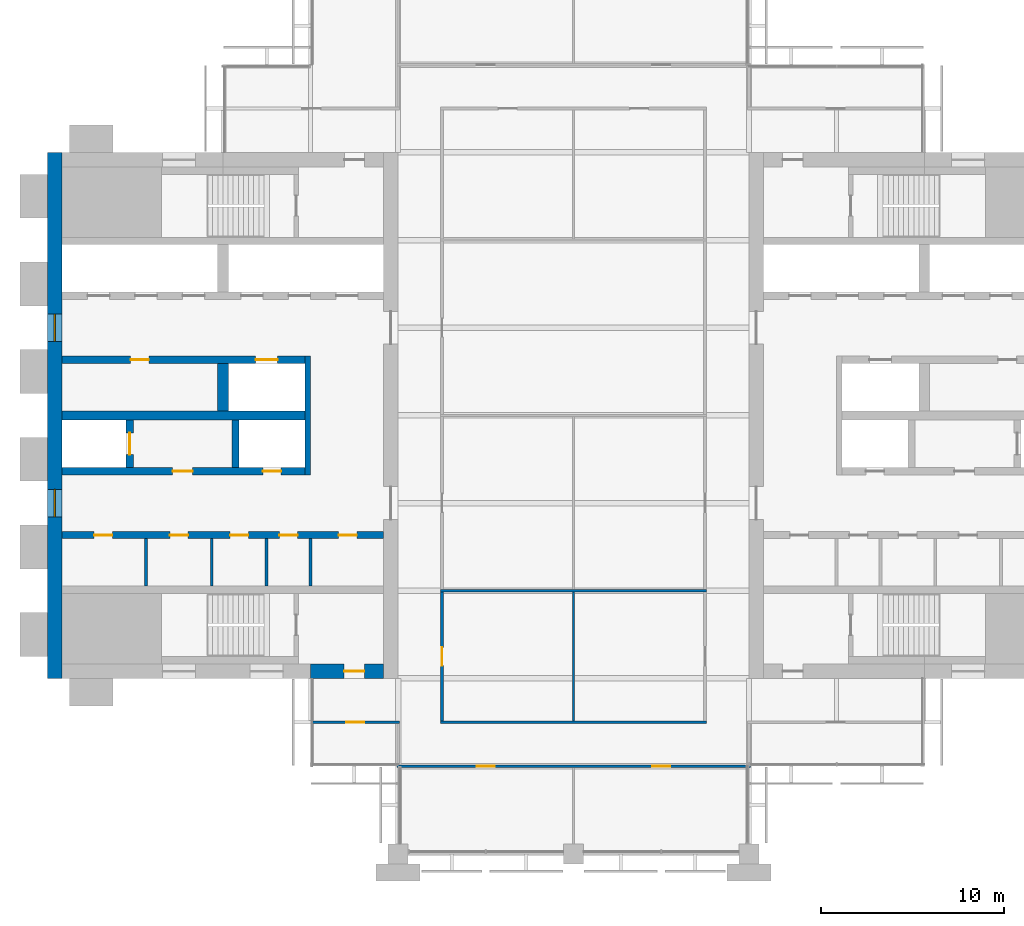
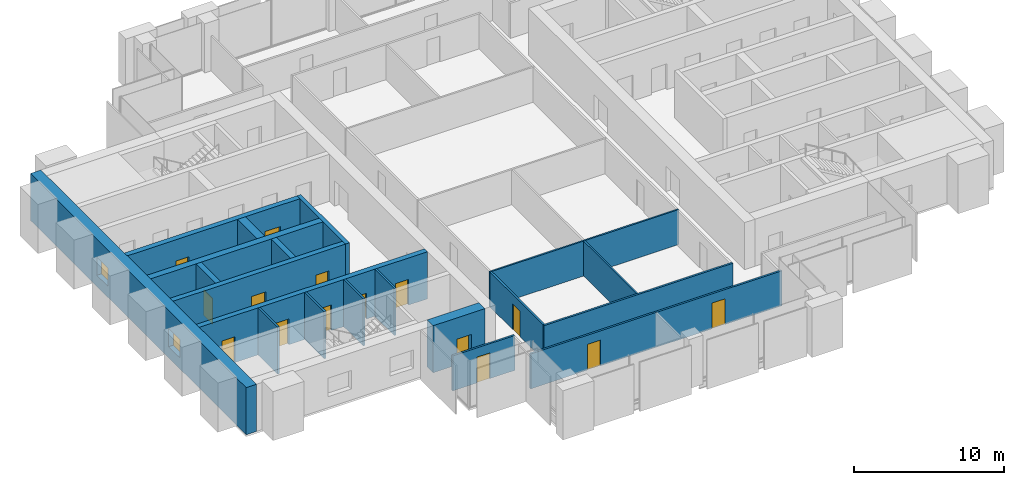
# One storey, part 8 of 13: 20 walls, 15 doors, 2 windows, 17 openings.
"""IFC4 building model written with IfcOpenShell, lengths in metres."""

from ifc_helpers import new_model, si_unit, direction, frame, frame_2d, origin, place, context, subcontext, project, spatial, rectangle, extrude, material, layer, layer_set, type_object, element, fill, save


model = new_model("IFC4")

# Units and contexts
model_context = context("Model", 3, precision=1e-05, world=origin(), true_north=direction((0.0, 1.0)))
body_context = subcontext(model_context, "Body", "Model", "MODEL_VIEW")
ifc_project = project(units=[si_unit("LENGTHUNIT", "METRE"), si_unit("AREAUNIT", "SQUARE_METRE"), si_unit("VOLUMEUNIT", "CUBIC_METRE"), si_unit("PLANEANGLEUNIT", "RADIAN"), si_unit("MASSUNIT", "GRAM", prefix="KILO")], contexts=[model_context])

# Site, building, storey
site_placement = place(None, origin())
site = spatial("IfcSite", under=ifc_project, at=site_placement, CompositionType="ELEMENT")
building_placement = place(site_placement, origin())
building = spatial("IfcBuilding", under=site, at=building_placement, Name="Baori Bourse Tower", CompositionType="ELEMENT")
storey_placement = place(building_placement, frame((0.0, 0.0, 217.199951171875)))
storey = spatial("IfcBuildingStorey", under=building, at=storey_placement, Name="L47", CompositionType="ELEMENT", Elevation=217.199951171875)

# Walls
ifc_material_1 = material(Name="Blockwork partition", Category="masonry")
ifc_layer_1 = layer(ifc_material_1, 0.14990234375)
ifc_layer_set_1 = layer_set([ifc_layer_1], Name="Core partition 150")
wall_type_1 = type_object("IfcWallType", Name="Core partition 150", PredefinedType="PARTITIONING", material=ifc_layer_set_1)
for number, where, z_axis, x_axis, name in (
    (1, (5.39990234375, 14.64990234375, 0.0), (0.0, 0.0, 1.0), (0.0, 1.0, 0.0), "Partition wall W09"),
    (2, (9.0, 14.64990234375, 0.0), (0.0, 0.0, 1.0), (0.0, 1.0, 0.0), "Partition wall W10"),
    (3, (12.0, 14.64990234375, 0.0), (0.0, 0.0, 1.0), (0.0, 1.0, 0.0), "Partition wall W11"),
    (4, (14.39990234375, 14.64990234375, 0.0), (0.0, 0.0, 1.0), (0.0, 1.0, 0.0), "Partition wall W12"),
):
    element("IfcWall", number, at=place(storey_placement, frame(where, z_axis=z_axis, x_axis=x_axis)), inside=storey, type_object=wall_type_1, Name=name, PredefinedType="PARTITIONING", context=body_context, shape_type="SweptSolid", body=[
        extrude(rectangle(XDim=2.60009765625, YDim=0.14990234375, at=frame_2d((1.300048828125, 0.0))), origin(), (0.0, 0.0, 1.0), 3.840087890625),
    ])

# Wall, openings, windows
ifc_material_2 = material(Name="Concrete f'c 50 MPa", Category="concrete")
ifc_layer_2 = layer(ifc_material_2, 0.800048828125)
ifc_layer_set_2 = layer_set([ifc_layer_2], Name="Core wall 800 f'c 50")
wall_type_2 = type_object("IfcWallType", Name="Core wall 800 f'c 50", PredefinedType="SHEAR", material=ifc_layer_set_2)
wall_1_placement = place(storey_placement, frame((0.39990234375, 9.60009765625, 0.0), z_axis=(0.0, 0.0, 1.0), x_axis=(0.0, 1.0, 0.0)))
wall_1 = element("IfcWall", 5, at=wall_1_placement, inside=storey, type_object=wall_type_2, Name="Core wall W01", PredefinedType="SHEAR", context=body_context, shape_type="SweptSolid", body=[
    extrude(rectangle(XDim=28.7998046875, YDim=0.800048828125, at=frame_2d((14.39990234375, 0.0))), origin(), (0.0, 0.0, 1.0), 3.840087890625),
])
opening_1_placement = place(wall_1_placement, frame((8.85009765625, 0.0, 0.89990234375)))
opening_1 = element("IfcOpeningElement", 6, at=opening_1_placement, cuts=wall_1, Name="Opening L47-KW101", PredefinedType="OPENING", context=body_context, shape_type="SweptSolid", body=[
    extrude(rectangle(XDim=1.5, YDim=1.5, at=frame_2d((0.75, 0.75))), frame((0.0, 0.409912109375, 0.0), z_axis=(0.0, -1.0, 0.0), x_axis=(1.0, 0.0, 0.0)), (0.0, 0.0, 1.0), 0.820068359375),
])
opening_2_placement = place(wall_1_placement, frame((18.449951171875, 0.0, 0.89990234375)))
opening_2 = element("IfcOpeningElement", 7, at=opening_2_placement, cuts=wall_1, Name="Opening L47-KW102", PredefinedType="OPENING", context=body_context, shape_type="SweptSolid", body=[
    extrude(rectangle(XDim=1.5, YDim=1.5, at=frame_2d((0.75, 0.75))), frame((0.0, 0.409912109375, 0.0), z_axis=(0.0, -1.0, 0.0), x_axis=(1.0, 0.0, 0.0)), (0.0, 0.0, 1.0), 0.820068359375),
])
ifc_material_3 = material(Name="Pale anodised aluminium", Category="aluminium")
window_type = type_object("IfcWindowType", Name="Lobby window 1500 x 1500", PartitioningType="SINGLE_PANEL", PredefinedType="WINDOW", material=ifc_material_3)
window_1_placement = place(opening_1_placement, origin())
window_1 = element("IfcWindow", 8, at=window_1_placement, inside=storey, type_object=window_type, Name="Outer wall window W L47 1", OverallHeight=1.5, OverallWidth=1.5, PartitioningType="SINGLE_PANEL", PredefinedType="WINDOW", context=body_context, shape_type="SweptSolid", body=[
    extrude(rectangle(XDim=1.5, YDim=1.5, at=frame_2d((0.75, 0.75))), frame((0.0, 0.030029296875, 0.0), z_axis=(0.0, -1.0, 0.0), x_axis=(1.0, 0.0, 0.0)), (0.0, 0.0, 1.0), 0.06005859375),
])
fill(opening_1, window_1)
window_2_placement = place(opening_2_placement, origin())
window_2 = element("IfcWindow", 9, at=window_2_placement, inside=storey, type_object=window_type, Name="Outer wall window W L47 2", OverallHeight=1.5, OverallWidth=1.5, PartitioningType="SINGLE_PANEL", PredefinedType="WINDOW", context=body_context, shape_type="SweptSolid", body=[
    extrude(rectangle(XDim=1.5, YDim=1.5, at=frame_2d((0.75, 0.75))), frame((0.0, 0.030029296875, 0.0), z_axis=(0.0, -1.0, 0.0), x_axis=(1.0, 0.0, 0.0)), (0.0, 0.0, 1.0), 0.06005859375),
])
fill(opening_2, window_2)

# Wall, opening, door
wall_2_placement = place(storey_placement, frame((18.39990234375, 10.0, 0.0), z_axis=(0.0, 0.0, 1.0), x_axis=(-1.0, 0.0, 0.0)))
wall_2 = element("IfcWall", 10, at=wall_2_placement, inside=storey, type_object=wall_type_2, Name="Core wall W03", PredefinedType="SHEAR", context=body_context, shape_type="SweptSolid", body=[
    extrude(rectangle(XDim=4.0, YDim=0.800048828125, at=frame_2d((2.0, 0.0))), origin(), (0.0, 0.0, 1.0), 3.840087890625),
])
opening_3_placement = place(wall_2_placement, frame((1.050048828125, 0.0, 0.0)))
opening_3 = element("IfcOpeningElement", 11, at=opening_3_placement, cuts=wall_2, Name="Opening L47-D102", PredefinedType="OPENING", context=body_context, shape_type="SweptSolid", body=[
    extrude(rectangle(XDim=1.10009765625, YDim=2.10009765625, at=frame_2d((0.550048828125, 1.050048828125))), frame((0.0, 0.409912109375, 0.0), z_axis=(0.0, -1.0, 0.0), x_axis=(1.0, 0.0, 0.0)), (0.0, 0.0, 1.0), 0.820068359375),
])
ifc_material_4 = material(Name="Painted steel door", Category="steel")
door_type_1 = type_object("IfcDoorType", Name="Stair door 1100", OperationType="SINGLE_SWING_LEFT", PredefinedType="DOOR", material=ifc_material_4)
door_1_placement = place(opening_3_placement, origin())
door_1 = element("IfcDoor", 12, at=door_1_placement, inside=storey, type_object=door_type_1, Name="Stair vestibule door A W L47", OperationType="SINGLE_SWING_LEFT", OverallHeight=2.10009765625, OverallWidth=1.10009765625, PredefinedType="DOOR", context=body_context, shape_type="SweptSolid", body=[
    extrude(rectangle(XDim=1.10009765625, YDim=2.10009765625, at=frame_2d((0.550048828125, 1.050048828125))), frame((0.0, 0.02490234375, 0.0), z_axis=(0.0, -1.0, 0.0), x_axis=(1.0, 0.0, 0.0)), (0.0, 0.0, 1.0), 0.050048828125),
])
fill(opening_3, door_1)

# Wall, openings, doors
ifc_material_5 = material(Name="Gypsum board partition")
ifc_layer_3 = layer(ifc_material_5, 0.14990234375)
ifc_layer_set_3 = layer_set([ifc_layer_3], Name="Corridor partition 150")
wall_type_3 = type_object("IfcWallType", Name="Corridor partition 150", PredefinedType="PARTITIONING", material=ifc_layer_set_3)
wall_3_placement = place(storey_placement, frame((19.125, 4.800048828125, 0.0), z_axis=(0.0, 0.0, 1.0), x_axis=(1.0, 0.0, 0.0)))
wall_3 = element("IfcWall", 13, at=wall_3_placement, inside=storey, type_object=wall_type_3, Name="Partition", PredefinedType="PARTITIONING", context=body_context, shape_type="SweptSolid", body=[
    extrude(rectangle(XDim=19.35009765625, YDim=0.14990234375, at=frame_2d((9.675048828125, 0.0))), origin(), (0.0, 0.0, 1.0), 2.849365234375),
])
opening_4_placement = place(wall_3_placement, frame((4.375, 0.0, 0.0)))
opening_4 = element("IfcOpeningElement", 14, at=opening_4_placement, cuts=wall_3, Name="Opening L47-D01", PredefinedType="OPENING", context=body_context, shape_type="SweptSolid", body=[
    extrude(rectangle(XDim=1.0, YDim=2.10009765625, at=frame_2d((0.5, 1.050048828125))), frame((0.0, 0.0849609375, 0.0), z_axis=(0.0, -1.0, 0.0), x_axis=(1.0, 0.0, 0.0)), (0.0, 0.0, 1.0), 0.169921875),
])
opening_5_placement = place(wall_3_placement, frame((13.97509765625, 0.0, 0.0)))
opening_5 = element("IfcOpeningElement", 15, at=opening_5_placement, cuts=wall_3, Name="Opening L47-D02", PredefinedType="OPENING", context=body_context, shape_type="SweptSolid", body=[
    extrude(rectangle(XDim=1.0, YDim=2.10009765625, at=frame_2d((0.5, 1.050048828125))), frame((0.0, 0.0849609375, 0.0), z_axis=(0.0, -1.0, 0.0), x_axis=(1.0, 0.0, 0.0)), (0.0, 0.0, 1.0), 0.169921875),
])
ifc_material_6 = material(Name="Timber door leaf", Category="wood")
door_type_2 = type_object("IfcDoorType", Name="Door 1000 x 2100", OperationType="SINGLE_SWING_LEFT", PredefinedType="DOOR", material=ifc_material_6)
door_2_placement = place(opening_4_placement, origin())
door_2 = element("IfcDoor", 16, at=door_2_placement, inside=storey, type_object=door_type_2, Name="Door", OperationType="SINGLE_SWING_LEFT", OverallHeight=2.10009765625, OverallWidth=1.0, PredefinedType="DOOR", context=body_context, shape_type="SweptSolid", body=[
    extrude(rectangle(XDim=1.0, YDim=2.10009765625, at=frame_2d((0.5, 1.050048828125))), frame((0.0, 0.02490234375, 0.0), z_axis=(0.0, -1.0, 0.0), x_axis=(1.0, 0.0, 0.0)), (0.0, 0.0, 1.0), 0.050048828125),
])
fill(opening_4, door_2)
door_3_placement = place(opening_5_placement, origin())
door_3 = element("IfcDoor", 17, at=door_3_placement, inside=storey, type_object=door_type_2, Name="Door", OperationType="SINGLE_SWING_RIGHT", OverallHeight=2.10009765625, OverallWidth=1.0, PredefinedType="DOOR", context=body_context, shape_type="SweptSolid", body=[
    extrude(rectangle(XDim=1.0, YDim=2.10009765625, at=frame_2d((0.5, 1.050048828125))), frame((0.0, 0.02490234375, 0.0), z_axis=(0.0, -1.0, 0.0), x_axis=(1.0, 0.0, 0.0)), (0.0, 0.0, 1.0), 0.050048828125),
])
fill(opening_5, door_3)

# Wall, opening, door
wall_4_placement = place(storey_placement, frame((14.5, 7.199951171875, 0.0), z_axis=(0.0, 0.0, 1.0), x_axis=(1.0, 0.0, 0.0)))
wall_4 = element("IfcWall", 18, at=wall_4_placement, inside=storey, type_object=wall_type_3, Name="Partition", PredefinedType="PARTITIONING", context=body_context, shape_type="SweptSolid", body=[
    extrude(rectangle(XDim=4.77490234375, YDim=0.14990234375, at=frame_2d((2.387451171875, 0.0))), origin(), (0.0, 0.0, 1.0), 2.849365234375),
])
opening_6_placement = place(wall_4_placement, frame((1.85009765625, 0.0, 0.0)))
opening_6 = element("IfcOpeningElement", 19, at=opening_6_placement, cuts=wall_4, Name="Opening L47-D03", PredefinedType="OPENING", context=body_context, shape_type="SweptSolid", body=[
    extrude(rectangle(XDim=1.0, YDim=2.10009765625, at=frame_2d((0.5, 1.050048828125))), frame((0.0, 0.0849609375, 0.0), z_axis=(0.0, -1.0, 0.0), x_axis=(1.0, 0.0, 0.0)), (0.0, 0.0, 1.0), 0.169921875),
])
door_4_placement = place(opening_6_placement, origin())
door_4 = element("IfcDoor", 20, at=door_4_placement, inside=storey, type_object=door_type_2, Name="Door", OperationType="SINGLE_SWING_LEFT", OverallHeight=2.10009765625, OverallWidth=1.0, PredefinedType="DOOR", context=body_context, shape_type="SweptSolid", body=[
    extrude(rectangle(XDim=1.0, YDim=2.10009765625, at=frame_2d((0.5, 1.050048828125))), frame((0.0, 0.02490234375, 0.0), z_axis=(0.0, -1.0, 0.0), x_axis=(1.0, 0.0, 0.0)), (0.0, 0.0, 1.0), 0.050048828125),
])
fill(opening_6, door_4)

# Wall
wall_5_placement = place(storey_placement, frame((21.52490234375, 7.199951171875, 0.0), z_axis=(0.0, 0.0, 1.0), x_axis=(1.0, 0.0, 0.0)))
element("IfcWall", 21, at=wall_5_placement, inside=storey, type_object=wall_type_3, Name="Partition", PredefinedType="PARTITIONING", context=body_context, shape_type="SweptSolid", body=[
    extrude(rectangle(XDim=14.550048828125, YDim=0.14990234375, at=frame_2d((7.27490234375, 0.0))), origin(), (0.0, 0.0, 1.0), 2.849365234375),
])

# Wall, opening, door
wall_6_placement = place(storey_placement, frame((21.60009765625, 7.27490234375, 0.0), z_axis=(0.0, 0.0, 1.0), x_axis=(0.0, 1.0, 0.0)))
wall_6 = element("IfcWall", 22, at=wall_6_placement, inside=storey, type_object=wall_type_3, Name="Partition", PredefinedType="PARTITIONING", context=body_context, shape_type="SweptSolid", body=[
    extrude(rectangle(XDim=7.0625, YDim=0.14990234375, at=frame_2d((3.53125, 0.0))), origin(), (0.0, 0.0, 1.0), 2.849365234375),
])
opening_7_placement = place(wall_6_placement, frame((3.03125, 0.0, 0.0)))
opening_7 = element("IfcOpeningElement", 23, at=opening_7_placement, cuts=wall_6, Name="Opening L47-D11", PredefinedType="OPENING", context=body_context, shape_type="SweptSolid", body=[
    extrude(rectangle(XDim=1.0, YDim=2.10009765625, at=frame_2d((0.5, 1.050048828125))), frame((0.0, 0.0849609375, 0.0), z_axis=(0.0, -1.0, 0.0), x_axis=(1.0, 0.0, 0.0)), (0.0, 0.0, 1.0), 0.169921875),
])
door_5_placement = place(opening_7_placement, origin())
door_5 = element("IfcDoor", 24, at=door_5_placement, inside=storey, type_object=door_type_2, Name="Door", OperationType="SINGLE_SWING_LEFT", OverallHeight=2.10009765625, OverallWidth=1.0, PredefinedType="DOOR", context=body_context, shape_type="SweptSolid", body=[
    extrude(rectangle(XDim=1.0, YDim=2.10009765625, at=frame_2d((0.5, 1.050048828125))), frame((0.0, 0.02490234375, 0.0), z_axis=(0.0, -1.0, 0.0), x_axis=(1.0, 0.0, 0.0)), (0.0, 0.0, 1.0), 0.050048828125),
])
fill(opening_7, door_5)

# Walls
ifc_material_7 = material(Name="Gypsum board partition")
ifc_layer_4 = layer(ifc_material_7, 0.125)
ifc_layer_set_4 = layer_set([ifc_layer_4], Name="Partition 125")
wall_type_4 = type_object("IfcWallType", Name="Partition 125", PredefinedType="PARTITIONING", material=ifc_layer_set_4)
wall_7_placement = place(storey_placement, frame((21.52490234375, 14.39990234375, 0.0), z_axis=(0.0, 0.0, 1.0), x_axis=(1.0, 0.0, 0.0)))
element("IfcWall", 25, at=wall_7_placement, inside=storey, type_object=wall_type_4, Name="Partition", PredefinedType="PARTITIONING", context=body_context, shape_type="SweptSolid", body=[
    extrude(rectangle(XDim=14.550048828125, YDim=0.125, at=frame_2d((7.27490234375, 0.0))), origin(), (0.0, 0.0, 1.0), 2.849365234375),
])
wall_8_placement = place(storey_placement, frame((28.800048828125, 7.27490234375, 0.0), z_axis=(0.0, 0.0, 1.0), x_axis=(0.0, 1.0, 0.0)))
element("IfcWall", 26, at=wall_8_placement, inside=storey, type_object=wall_type_4, Name="Partition", PredefinedType="PARTITIONING", context=body_context, shape_type="SweptSolid", body=[
    extrude(rectangle(XDim=7.0625, YDim=0.125, at=frame_2d((3.53125, 0.0))), origin(), (0.0, 0.0, 1.0), 2.849365234375),
])
ifc_material_8 = material(Name="Concrete f'c 50 MPa", Category="concrete")
ifc_layer_5 = layer(ifc_material_8, 0.300048828125)
ifc_layer_set_5 = layer_set([ifc_layer_5], Name="Shaft wall 300 f'c 50")
wall_type_5 = type_object("IfcWallType", Name="Shaft wall 300 f'c 50", PredefinedType="SHEAR", material=ifc_layer_set_5)
wall_9_placement = place(storey_placement, frame((14.25, 20.75, 0.0), z_axis=(0.0, 0.0, 1.0), x_axis=(0.0, 1.0, 0.0)))
element("IfcWall", 27, at=wall_9_placement, inside=storey, type_object=wall_type_5, Name="Core wall W15", PredefinedType="SHEAR", context=body_context, shape_type="SweptSolid", body=[
    extrude(rectangle(XDim=6.5, YDim=0.300048828125, at=frame_2d((3.25, 0.0))), origin(), (0.0, 0.0, 1.0), 3.840087890625),
])

# Wall, openings, doors
ifc_material_9 = material(Name="Concrete f'c 50 MPa", Category="concrete")
ifc_layer_6 = layer(ifc_material_9, 0.39990234375)
ifc_layer_set_6 = layer_set([ifc_layer_6], Name="Shaft wall 400 f'c 50")
wall_type_6 = type_object("IfcWallType", Name="Shaft wall 400 f'c 50", PredefinedType="SHEAR", material=ifc_layer_set_6)
wall_10_placement = place(storey_placement, frame((0.800048828125, 17.449951171875, 0.0), z_axis=(0.0, 0.0, 1.0), x_axis=(1.0, 0.0, 0.0)))
wall_10 = element("IfcWall", 28, at=wall_10_placement, inside=storey, type_object=wall_type_6, Name="Core wall W13", PredefinedType="SHEAR", context=body_context, shape_type="SweptSolid", body=[
    extrude(rectangle(XDim=17.599853515625, YDim=0.39990234375, at=frame_2d((8.7998046875, 0.0))), origin(), (0.0, 0.0, 1.0), 3.840087890625),
])
opening_8_placement = place(wall_10_placement, frame((1.762451171875, 0.0, 0.0)))
opening_8 = element("IfcOpeningElement", 29, at=opening_8_placement, cuts=wall_10, Name="Opening L47-D109", PredefinedType="OPENING", context=body_context, shape_type="SweptSolid", body=[
    extrude(rectangle(XDim=1.0, YDim=2.10009765625, at=frame_2d((0.5, 1.050048828125))), frame((0.0, 0.2099609375, 0.0), z_axis=(0.0, -1.0, 0.0), x_axis=(1.0, 0.0, 0.0)), (0.0, 0.0, 1.0), 0.419921875),
])
opening_9_placement = place(wall_10_placement, frame((5.89990234375, 0.0, 0.0)))
opening_9 = element("IfcOpeningElement", 30, at=opening_9_placement, cuts=wall_10, Name="Opening L47-D110", PredefinedType="OPENING", context=body_context, shape_type="SweptSolid", body=[
    extrude(rectangle(XDim=1.0, YDim=2.10009765625, at=frame_2d((0.5, 1.050048828125))), frame((0.0, 0.2099609375, 0.0), z_axis=(0.0, -1.0, 0.0), x_axis=(1.0, 0.0, 0.0)), (0.0, 0.0, 1.0), 0.419921875),
])
opening_10_placement = place(wall_10_placement, frame((9.199951171875, 0.0, 0.0)))
opening_10 = element("IfcOpeningElement", 31, at=opening_10_placement, cuts=wall_10, Name="Opening L47-D111", PredefinedType="OPENING", context=body_context, shape_type="SweptSolid", body=[
    extrude(rectangle(XDim=1.0, YDim=2.10009765625, at=frame_2d((0.5, 1.050048828125))), frame((0.0, 0.2099609375, 0.0), z_axis=(0.0, -1.0, 0.0), x_axis=(1.0, 0.0, 0.0)), (0.0, 0.0, 1.0), 0.419921875),
])
opening_11_placement = place(wall_10_placement, frame((11.89990234375, 0.0, 0.0)))
opening_11 = element("IfcOpeningElement", 32, at=opening_11_placement, cuts=wall_10, Name="Opening L47-D112", PredefinedType="OPENING", context=body_context, shape_type="SweptSolid", body=[
    extrude(rectangle(XDim=1.0, YDim=2.10009765625, at=frame_2d((0.5, 1.050048828125))), frame((0.0, 0.2099609375, 0.0), z_axis=(0.0, -1.0, 0.0), x_axis=(1.0, 0.0, 0.0)), (0.0, 0.0, 1.0), 0.419921875),
])
opening_12_placement = place(wall_10_placement, frame((15.137451171875, 0.0, 0.0)))
opening_12 = element("IfcOpeningElement", 33, at=opening_12_placement, cuts=wall_10, Name="Opening L47-D113", PredefinedType="OPENING", context=body_context, shape_type="SweptSolid", body=[
    extrude(rectangle(XDim=1.0, YDim=2.10009765625, at=frame_2d((0.5, 1.050048828125))), frame((0.0, 0.2099609375, 0.0), z_axis=(0.0, -1.0, 0.0), x_axis=(1.0, 0.0, 0.0)), (0.0, 0.0, 1.0), 0.419921875),
])
ifc_material_10 = material(Name="Painted steel door", Category="steel")
door_type_3 = type_object("IfcDoorType", Name="Core door 1000", OperationType="SINGLE_SWING_LEFT", PredefinedType="DOOR", material=ifc_material_10)
door_6_placement = place(opening_8_placement, origin())
door_6 = element("IfcDoor", 34, at=door_6_placement, inside=storey, type_object=door_type_3, Name="Men'S Wc door W L47", OperationType="SINGLE_SWING_LEFT", OverallHeight=2.10009765625, OverallWidth=1.0, PredefinedType="DOOR", context=body_context, shape_type="SweptSolid", body=[
    extrude(rectangle(XDim=1.0, YDim=2.10009765625, at=frame_2d((0.5, 1.050048828125))), frame((0.0, 0.02490234375, 0.0), z_axis=(0.0, -1.0, 0.0), x_axis=(1.0, 0.0, 0.0)), (0.0, 0.0, 1.0), 0.050048828125),
])
fill(opening_8, door_6)
door_7_placement = place(opening_9_placement, origin())
door_7 = element("IfcDoor", 35, at=door_7_placement, inside=storey, type_object=door_type_3, Name="Women'S Wc door W L47", OperationType="SINGLE_SWING_LEFT", OverallHeight=2.10009765625, OverallWidth=1.0, PredefinedType="DOOR", context=body_context, shape_type="SweptSolid", body=[
    extrude(rectangle(XDim=1.0, YDim=2.10009765625, at=frame_2d((0.5, 1.050048828125))), frame((0.0, 0.02490234375, 0.0), z_axis=(0.0, -1.0, 0.0), x_axis=(1.0, 0.0, 0.0)), (0.0, 0.0, 1.0), 0.050048828125),
])
fill(opening_9, door_7)
door_8_placement = place(opening_10_placement, origin())
door_8 = element("IfcDoor", 36, at=door_8_placement, inside=storey, type_object=door_type_3, Name="Pantry door W L47", OperationType="SINGLE_SWING_LEFT", OverallHeight=2.10009765625, OverallWidth=1.0, PredefinedType="DOOR", context=body_context, shape_type="SweptSolid", body=[
    extrude(rectangle(XDim=1.0, YDim=2.10009765625, at=frame_2d((0.5, 1.050048828125))), frame((0.0, 0.02490234375, 0.0), z_axis=(0.0, -1.0, 0.0), x_axis=(1.0, 0.0, 0.0)), (0.0, 0.0, 1.0), 0.050048828125),
])
fill(opening_10, door_8)
door_9_placement = place(opening_11_placement, origin())
door_9 = element("IfcDoor", 37, at=door_9_placement, inside=storey, type_object=door_type_3, Name="Store Room door W L47", OperationType="SINGLE_SWING_LEFT", OverallHeight=2.10009765625, OverallWidth=1.0, PredefinedType="DOOR", context=body_context, shape_type="SweptSolid", body=[
    extrude(rectangle(XDim=1.0, YDim=2.10009765625, at=frame_2d((0.5, 1.050048828125))), frame((0.0, 0.02490234375, 0.0), z_axis=(0.0, -1.0, 0.0), x_axis=(1.0, 0.0, 0.0)), (0.0, 0.0, 1.0), 0.050048828125),
])
fill(opening_11, door_9)
door_10_placement = place(opening_12_placement, origin())
door_10 = element("IfcDoor", 38, at=door_10_placement, inside=storey, type_object=door_type_3, Name="Accessible Wc door W L47", OperationType="SINGLE_SWING_LEFT", OverallHeight=2.10009765625, OverallWidth=1.0, PredefinedType="DOOR", context=body_context, shape_type="SweptSolid", body=[
    extrude(rectangle(XDim=1.0, YDim=2.10009765625, at=frame_2d((0.5, 1.050048828125))), frame((0.0, 0.02490234375, 0.0), z_axis=(0.0, -1.0, 0.0), x_axis=(1.0, 0.0, 0.0)), (0.0, 0.0, 1.0), 0.050048828125),
])
fill(opening_12, door_10)

wall_11_placement = place(storey_placement, frame((0.800048828125, 20.949951171875, 0.0), z_axis=(0.0, 0.0, 1.0), x_axis=(1.0, 0.0, 0.0)))
wall_11 = element("IfcWall", 39, at=wall_11_placement, inside=storey, type_object=wall_type_6, Name="Core wall W14", PredefinedType="SHEAR", context=body_context, shape_type="SweptSolid", body=[
    extrude(rectangle(XDim=13.300048828125, YDim=0.39990234375, at=frame_2d((6.64990234375, 0.0))), origin(), (0.0, 0.0, 1.0), 3.840087890625),
])
opening_13_placement = place(wall_11_placement, frame((6.050048828125, 0.0, 0.0)))
opening_13 = element("IfcOpeningElement", 40, at=opening_13_placement, cuts=wall_11, Name="Opening L47-D105", PredefinedType="OPENING", context=body_context, shape_type="SweptSolid", body=[
    extrude(rectangle(XDim=1.10009765625, YDim=2.10009765625, at=frame_2d((0.550048828125, 1.050048828125))), frame((0.0, 0.2099609375, 0.0), z_axis=(0.0, -1.0, 0.0), x_axis=(1.0, 0.0, 0.0)), (0.0, 0.0, 1.0), 0.419921875),
])
opening_14_placement = place(wall_11_placement, frame((11.0, 0.0, 0.0)))
opening_14 = element("IfcOpeningElement", 41, at=opening_14_placement, cuts=wall_11, Name="Opening L47-D106", PredefinedType="OPENING", context=body_context, shape_type="SweptSolid", body=[
    extrude(rectangle(XDim=1.0, YDim=2.10009765625, at=frame_2d((0.5, 1.050048828125))), frame((0.0, 0.2099609375, 0.0), z_axis=(0.0, -1.0, 0.0), x_axis=(1.0, 0.0, 0.0)), (0.0, 0.0, 1.0), 0.419921875),
])
ifc_material_11 = material(Name="Painted steel door", Category="steel")
door_type_4 = type_object("IfcDoorType", Name="Lobby door 1100", OperationType="SINGLE_SWING_LEFT", PredefinedType="DOOR", material=ifc_material_11)
door_11_placement = place(opening_13_placement, origin())
door_11 = element("IfcDoor", 42, at=door_11_placement, inside=storey, type_object=door_type_4, Name="Firefighting lobby door W L47", OperationType="SINGLE_SWING_LEFT", OverallHeight=2.10009765625, OverallWidth=1.10009765625, PredefinedType="DOOR", context=body_context, shape_type="SweptSolid", body=[
    extrude(rectangle(XDim=1.10009765625, YDim=2.10009765625, at=frame_2d((0.550048828125, 1.050048828125))), frame((0.0, 0.02490234375, 0.0), z_axis=(0.0, -1.0, 0.0), x_axis=(1.0, 0.0, 0.0)), (0.0, 0.0, 1.0), 0.050048828125),
])
fill(opening_13, door_11)
ifc_material_12 = material(Name="Painted steel door", Category="steel")
door_type_5 = type_object("IfcDoorType", Name="Shaft door 1000", OperationType="SINGLE_SWING_LEFT", PredefinedType="DOOR", material=ifc_material_12)
door_12_placement = place(opening_14_placement, origin())
door_12 = element("IfcDoor", 43, at=door_12_placement, inside=storey, type_object=door_type_5, Name="Riser room door W L47", OperationType="SINGLE_SWING_LEFT", OverallHeight=2.10009765625, OverallWidth=1.0, PredefinedType="DOOR", context=body_context, shape_type="SweptSolid", body=[
    extrude(rectangle(XDim=1.0, YDim=2.10009765625, at=frame_2d((0.5, 1.050048828125))), frame((0.0, 0.02490234375, 0.0), z_axis=(0.0, -1.0, 0.0), x_axis=(1.0, 0.0, 0.0)), (0.0, 0.0, 1.0), 0.050048828125),
])
fill(opening_14, door_12)

# Wall, opening, door
wall_12_placement = place(storey_placement, frame((4.5, 21.14990234375, 0.0), z_axis=(0.0, 0.0, 1.0), x_axis=(0.0, 1.0, 0.0)))
wall_12 = element("IfcWall", 44, at=wall_12_placement, inside=storey, type_object=wall_type_6, Name="Core wall W16", PredefinedType="SHEAR", context=body_context, shape_type="SweptSolid", body=[
    extrude(rectangle(XDim=2.60009765625, YDim=0.39990234375, at=frame_2d((1.300048828125, 0.0))), origin(), (0.0, 0.0, 1.0), 3.840087890625),
])
opening_15_placement = place(wall_12_placement, frame((0.699951171875, 0.0, 0.0)))
opening_15 = element("IfcOpeningElement", 45, at=opening_15_placement, cuts=wall_12, Name="Opening L47-D122", PredefinedType="OPENING", context=body_context, shape_type="SweptSolid", body=[
    extrude(rectangle(XDim=1.199951171875, YDim=2.10009765625, at=frame_2d((0.60009765625, 1.050048828125))), frame((0.0, 0.2099609375, 0.0), z_axis=(0.0, -1.0, 0.0), x_axis=(1.0, 0.0, 0.0)), (0.0, 0.0, 1.0), 0.419921875),
])
ifc_material_13 = material(Name="Stainless steel door", Category="steel")
door_type_6 = type_object("IfcDoorType", Name="Lift landing door", OperationType="DOUBLE_DOOR_SLIDING", PredefinedType="DOOR", material=ifc_material_13)
door_13_placement = place(opening_15_placement, origin())
door_13 = element("IfcDoor", 46, at=door_13_placement, inside=storey, type_object=door_type_6, Name="Lift landing door FF1 W L47", OperationType="DOUBLE_DOOR_SLIDING", OverallHeight=2.10009765625, OverallWidth=1.199951171875, PredefinedType="DOOR", context=body_context, shape_type="SweptSolid", body=[
    extrude(rectangle(XDim=1.199951171875, YDim=2.10009765625, at=frame_2d((0.60009765625, 1.050048828125))), frame((0.0, 0.02490234375, 0.0), z_axis=(0.0, -1.0, 0.0), x_axis=(1.0, 0.0, 0.0)), (0.0, 0.0, 1.0), 0.050048828125),
])
fill(opening_15, door_13)

# Wall
wall_13_placement = place(storey_placement, frame((10.300048828125, 21.14990234375, 0.0), z_axis=(0.0, 0.0, 1.0), x_axis=(0.0, 1.0, 0.0)))
element("IfcWall", 47, at=wall_13_placement, inside=storey, type_object=wall_type_6, Name="Core wall W17", PredefinedType="SHEAR", context=body_context, shape_type="SweptSolid", body=[
    extrude(rectangle(XDim=2.60009765625, YDim=0.39990234375, at=frame_2d((1.300048828125, 0.0))), origin(), (0.0, 0.0, 1.0), 3.840087890625),
])

# Wall, openings, doors
wall_14_placement = place(storey_placement, frame((0.800048828125, 27.050048828125, 0.0), z_axis=(0.0, 0.0, 1.0), x_axis=(1.0, 0.0, 0.0)))
wall_14 = element("IfcWall", 48, at=wall_14_placement, inside=storey, type_object=wall_type_6, Name="Core wall W20", PredefinedType="SHEAR", context=body_context, shape_type="SweptSolid", body=[
    extrude(rectangle(XDim=13.300048828125, YDim=0.39990234375, at=frame_2d((6.64990234375, 0.0))), origin(), (0.0, 0.0, 1.0), 3.840087890625),
])
opening_16_placement = place(wall_14_placement, frame((3.75, 0.0, 0.0)))
opening_16 = element("IfcOpeningElement", 49, at=opening_16_placement, cuts=wall_14, Name="Opening L47-D114", PredefinedType="OPENING", context=body_context, shape_type="SweptSolid", body=[
    extrude(rectangle(XDim=1.0, YDim=2.10009765625, at=frame_2d((0.5, 1.050048828125))), frame((0.0, 0.2099609375, 0.0), z_axis=(0.0, -1.0, 0.0), x_axis=(1.0, 0.0, 0.0)), (0.0, 0.0, 1.0), 0.419921875),
])
opening_17_placement = place(wall_14_placement, frame((10.60009765625, 0.0, 0.0)))
opening_17 = element("IfcOpeningElement", 50, at=opening_17_placement, cuts=wall_14, Name="Opening L47-D121", PredefinedType="OPENING", context=body_context, shape_type="SweptSolid", body=[
    extrude(rectangle(XDim=1.199951171875, YDim=2.10009765625, at=frame_2d((0.60009765625, 1.050048828125))), frame((0.0, 0.2099609375, 0.0), z_axis=(0.0, -1.0, 0.0), x_axis=(1.0, 0.0, 0.0)), (0.0, 0.0, 1.0), 0.419921875),
])
door_14_placement = place(opening_16_placement, origin())
door_14 = element("IfcDoor", 51, at=door_14_placement, inside=storey, type_object=door_type_3, Name="Copy Room door W L47", OperationType="SINGLE_SWING_LEFT", OverallHeight=2.10009765625, OverallWidth=1.0, PredefinedType="DOOR", context=body_context, shape_type="SweptSolid", body=[
    extrude(rectangle(XDim=1.0, YDim=2.10009765625, at=frame_2d((0.5, 1.050048828125))), frame((0.0, 0.02490234375, 0.0), z_axis=(0.0, -1.0, 0.0), x_axis=(1.0, 0.0, 0.0)), (0.0, 0.0, 1.0), 0.050048828125),
])
fill(opening_16, door_14)
door_15_placement = place(opening_17_placement, origin())
door_15 = element("IfcDoor", 52, at=door_15_placement, inside=storey, type_object=door_type_6, Name="Lift landing door SV1 W L47", OperationType="DOUBLE_DOOR_SLIDING", OverallHeight=2.10009765625, OverallWidth=1.199951171875, PredefinedType="DOOR", context=body_context, shape_type="SweptSolid", body=[
    extrude(rectangle(XDim=1.199951171875, YDim=2.10009765625, at=frame_2d((0.60009765625, 1.050048828125))), frame((0.0, 0.02490234375, 0.0), z_axis=(0.0, -1.0, 0.0), x_axis=(1.0, 0.0, 0.0)), (0.0, 0.0, 1.0), 0.050048828125),
])
fill(opening_17, door_15)

# Walls
ifc_material_14 = material(Name="Concrete f'c 50 MPa", Category="concrete")
ifc_layer_7 = layer(ifc_material_14, 0.5)
ifc_layer_set_7 = layer_set([ifc_layer_7], Name="Shaft wall 500 f'c 50")
wall_type_7 = type_object("IfcWallType", Name="Shaft wall 500 f'c 50", PredefinedType="SHEAR", material=ifc_layer_set_7)
wall_15_placement = place(storey_placement, frame((0.800048828125, 24.0, 0.0), z_axis=(0.0, 0.0, 1.0), x_axis=(1.0, 0.0, 0.0)))
element("IfcWall", 53, at=wall_15_placement, inside=storey, type_object=wall_type_7, Name="Core wall W18", PredefinedType="SHEAR", context=body_context, shape_type="SweptSolid", body=[
    extrude(rectangle(XDim=13.300048828125, YDim=0.5, at=frame_2d((6.64990234375, 0.0))), origin(), (0.0, 0.0, 1.0), 3.840087890625),
])
ifc_material_15 = material(Name="Concrete f'c 50 MPa", Category="concrete")
ifc_layer_8 = layer(ifc_material_15, 0.60009765625)
ifc_layer_set_8 = layer_set([ifc_layer_8], Name="Shaft wall 600 f'c 50")
wall_type_8 = type_object("IfcWallType", Name="Shaft wall 600 f'c 50", PredefinedType="SHEAR", material=ifc_layer_set_8)
wall_16_placement = place(storey_placement, frame((9.60009765625, 24.25, 0.0), z_axis=(0.0, 0.0, 1.0), x_axis=(0.0, 1.0, 0.0)))
element("IfcWall", 54, at=wall_16_placement, inside=storey, type_object=wall_type_8, Name="Core wall W19", PredefinedType="SHEAR", context=body_context, shape_type="SweptSolid", body=[
    extrude(rectangle(XDim=2.60009765625, YDim=0.60009765625, at=frame_2d((1.300048828125, 0.0))), origin(), (0.0, 0.0, 1.0), 3.840087890625),
])

save(model, "model.ifc")
